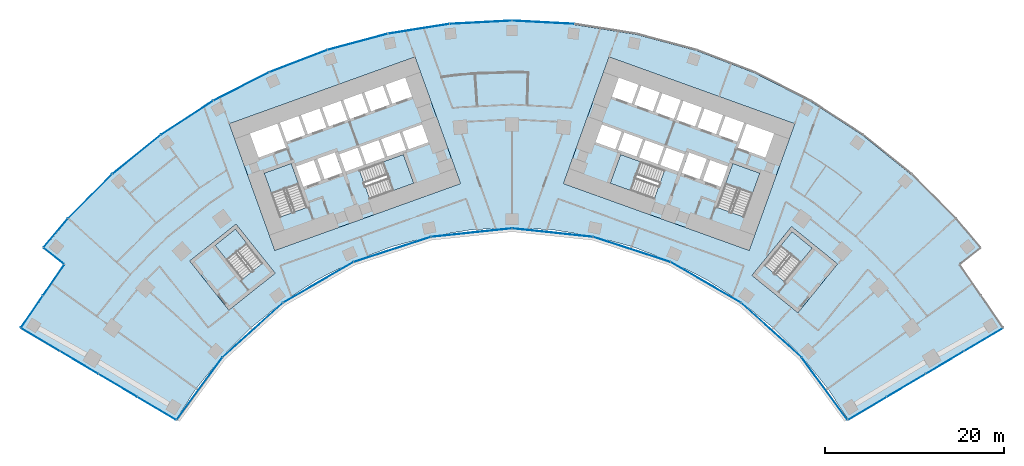
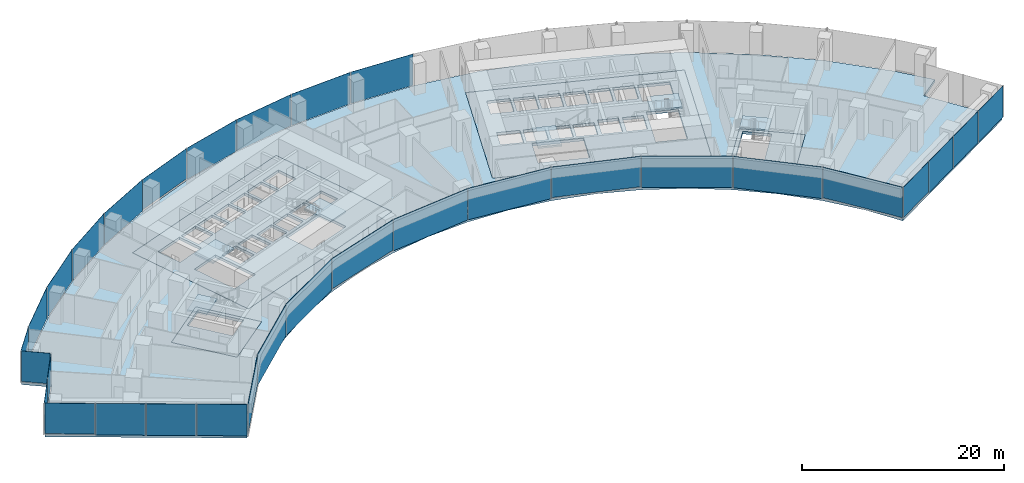
# One storey, part 12 of 21: 31 plates, 11 slabs, 12 elements without a shape of their own.
"""IFC4 building model written with IfcOpenShell, lengths in metres."""

from ifc_helpers import new_model, si_unit, direction, frame, origin, origin_2d, place, context, subcontext, project, spatial, polyline, rectangle, outline, extrude, material, layer, layer_set, type_object, element, aggregate, save


model = new_model("IFC4")

# Units and contexts
model_context = context("Model", 3, precision=1e-05, world=origin(), true_north=direction((0.0, 1.0)))
body_context = subcontext(model_context, "Body", "Model", "MODEL_VIEW")
ifc_project = project(units=[si_unit("LENGTHUNIT", "METRE"), si_unit("AREAUNIT", "SQUARE_METRE"), si_unit("VOLUMEUNIT", "CUBIC_METRE"), si_unit("PLANEANGLEUNIT", "RADIAN"), si_unit("MASSUNIT", "GRAM", prefix="KILO")], contexts=[model_context])

# Site, building, storey
site_placement = place(None, origin())
site = spatial("IfcSite", under=ifc_project, at=site_placement, CompositionType="ELEMENT")
building_placement = place(site_placement, origin())
building = spatial("IfcBuilding", under=site, at=building_placement, Name="Stone Belt Terrace Tower", CompositionType="ELEMENT")
storey_placement = place(building_placement, frame((0.0, 0.0, 33.800048828125)))
storey = spatial("IfcBuildingStorey", under=building, at=storey_placement, Name="L07", CompositionType="ELEMENT", Elevation=33.800048828125)

# Curtain wall, plates
ifc_material_1 = material(Name="Aluminium 6063-T6 anodised frame", Category="aluminium")
ifc_layer_1 = layer(ifc_material_1, 0.14990234375)
ifc_layer_set_1 = layer_set([ifc_layer_1], Name="CW-A unitised convex-face curtain wall")
curtain_wall_type_1 = type_object("IfcCurtainWallType", Name="CW-A unitised convex-face curtain wall", PredefinedType="NOTDEFINED", material=ifc_layer_set_1)
curtain_wall_1_placement = place(storey_placement, origin())
curtain_wall_1 = element("IfcCurtainWall", 1, at=curtain_wall_1_placement, inside=storey, type_object=curtain_wall_type_1, Name="CW-A convex face L07", PredefinedType="NOTDEFINED")
ifc_material_2 = material(Name="Clear double glazed unit")
ifc_layer_2 = layer(ifc_material_2, 0.031982421875)
ifc_layer_set_2 = layer_set([ifc_layer_2], Name="CW-A glass panel 32")
plate_type_1 = type_object("IfcPlateType", Name="CW-A glass panel 32", PredefinedType="CURTAIN_PANEL", material=ifc_layer_set_2)
plate_1_placement = place(storey_placement, frame((3.4794921875, 66.392822265625, 0.0), z_axis=(0.0, 0.0, 1.0), x_axis=(-0.998629534755, 0.052335956243, 0.0)))
plate_1 = element("IfcPlate", 2, at=plate_1_placement, type_object=plate_type_1, Name="CW-A panel 9.1", PredefinedType="CURTAIN_PANEL", context=body_context, shape_type="SweptSolid", body=[
    extrude(rectangle(XDim=6.90087890625, YDim=0.031982421875, at=origin_2d()), origin(), (0.0, 0.0, 1.0), 3.800048828125),
])
plate_2_placement = place(storey_placement, frame((-3.4794921875, 66.392822265625, 0.0), z_axis=(0.0, 0.0, 1.0), x_axis=(-0.998629534755, -0.052335956243, 0.0)))
plate_2 = element("IfcPlate", 3, at=plate_2_placement, type_object=plate_type_1, Name="CW-A panel 10.1", PredefinedType="CURTAIN_PANEL", context=body_context, shape_type="SweptSolid", body=[
    extrude(rectangle(XDim=6.90087890625, YDim=0.031982421875, at=origin_2d()), origin(), (0.0, 0.0, 1.0), 3.800048828125),
])
plate_3_placement = place(storey_placement, frame((-10.400390625, 65.665283203125, 0.0), z_axis=(0.0, 0.0, 1.0), x_axis=(-0.987688340595, -0.15643446504, 0.0)))
plate_3 = element("IfcPlate", 4, at=plate_3_placement, type_object=plate_type_1, Name="CW-A panel 11.1", PredefinedType="CURTAIN_PANEL", context=body_context, shape_type="SweptSolid", body=[
    extrude(rectangle(XDim=6.90087890625, YDim=0.031982421875, at=origin_2d()), origin(), (0.0, 0.0, 1.0), 3.800048828125),
])
plate_4_placement = place(storey_placement, frame((-17.207275390625, 64.218505859375, 0.0), z_axis=(0.0, 0.0, 1.0), x_axis=(-0.965925826289, -0.258819045103, 0.0)))
plate_4 = element("IfcPlate", 5, at=plate_4_placement, type_object=plate_type_1, Name="CW-A panel 12.1", PredefinedType="CURTAIN_PANEL", context=body_context, shape_type="SweptSolid", body=[
    extrude(rectangle(XDim=6.90087890625, YDim=0.031982421875, at=origin_2d()), origin(), (0.0, 0.0, 1.0), 3.800048828125),
])
plate_5_placement = place(storey_placement, frame((-23.82568359375, 62.068115234375, 0.14013671875), z_axis=(0.0, 0.0, 1.0), x_axis=(-0.933580426497, -0.358367949545, 0.0)))
plate_5 = element("IfcPlate", 6, at=plate_5_placement, type_object=plate_type_1, Name="CW-A panel 13.1", PredefinedType="CURTAIN_PANEL", context=body_context, shape_type="SweptSolid", body=[
    extrude(rectangle(XDim=6.90087890625, YDim=0.031982421875, at=origin_2d()), origin(), (0.0, 0.0, 1.0), 3.659912109375),
])
plate_6_placement = place(storey_placement, frame((-30.18310546875, 59.237548828125, 0.0), z_axis=(0.0, 0.0, 1.0), x_axis=(-0.891006524188, -0.45399049974, 0.0)))
plate_6 = element("IfcPlate", 7, at=plate_6_placement, type_object=plate_type_1, Name="CW-A panel 14.1", PredefinedType="CURTAIN_PANEL", context=body_context, shape_type="SweptSolid", body=[
    extrude(rectangle(XDim=6.90087890625, YDim=0.031982421875, at=origin_2d()), origin(), (0.0, 0.0, 1.0), 3.800048828125),
])
plate_7_placement = place(storey_placement, frame((-36.209716796875, 55.758056640625, 0.0), z_axis=(0.0, 0.0, 1.0), x_axis=(-0.838670567945, -0.544639035015, 0.0)))
plate_7 = element("IfcPlate", 8, at=plate_7_placement, type_object=plate_type_1, Name="CW-A panel 15.1", PredefinedType="CURTAIN_PANEL", context=body_context, shape_type="SweptSolid", body=[
    extrude(rectangle(XDim=6.90087890625, YDim=0.031982421875, at=origin_2d()), origin(), (0.0, 0.0, 1.0), 3.800048828125),
])
plate_8_placement = place(storey_placement, frame((-41.839599609375, 51.667724609375, 0.0), z_axis=(0.0, 0.0, 1.0), x_axis=(-0.777145961457, -0.62932039105, 0.0)))
plate_8 = element("IfcPlate", 9, at=plate_8_placement, type_object=plate_type_1, Name="CW-A panel 16.1", PredefinedType="CURTAIN_PANEL", context=body_context, shape_type="SweptSolid", body=[
    extrude(rectangle(XDim=6.90087890625, YDim=0.031982421875, at=origin_2d()), origin(), (0.0, 0.0, 1.0), 3.800048828125),
])
plate_9_placement = place(storey_placement, frame((-47.01123046875, 47.01123046875, 0.0), z_axis=(0.0, 0.0, 1.0), x_axis=(-0.707106781187, -0.707106781187, 0.0)))
plate_9 = element("IfcPlate", 10, at=plate_9_placement, type_object=plate_type_1, Name="CW-A panel 17.1", PredefinedType="CURTAIN_PANEL", context=body_context, shape_type="SweptSolid", body=[
    extrude(rectangle(XDim=6.90087890625, YDim=0.031982421875, at=origin_2d()), origin(), (0.0, 0.0, 1.0), 3.800048828125),
])
plate_10_placement = place(storey_placement, frame((-50.84423828125, 42.92626953125, 0.0), z_axis=(0.0, 0.0, 1.0), x_axis=(-0.645291395384, -0.763936525533, 0.0)))
plate_10 = element("IfcPlate", 11, at=plate_10_placement, type_object=plate_type_1, Name="CW-A panel 18.1", PredefinedType="CURTAIN_PANEL", context=body_context, shape_type="SweptSolid", body=[
    extrude(rectangle(XDim=4.17919921875, YDim=0.031982421875, at=origin_2d()), origin(), (0.0, 0.0, 1.0), 3.800048828125),
])
aggregate(curtain_wall_1, [plate_1, plate_2, plate_3, plate_4, plate_5, plate_6, plate_7, plate_8, plate_9, plate_10])

ifc_layer_3 = layer(ifc_material_1, 0.14990234375)
ifc_layer_set_3 = layer_set([ifc_layer_3], Name="CW-B unitised concave-face curtain wall")
curtain_wall_type_2 = type_object("IfcCurtainWallType", Name="CW-B unitised concave-face curtain wall", PredefinedType="NOTDEFINED", material=ifc_layer_set_3)
curtain_wall_2_placement = place(storey_placement, origin())
curtain_wall_2 = element("IfcCurtainWall", 12, at=curtain_wall_2_placement, inside=storey, type_object=curtain_wall_type_2, Name="CW-B concave face L07", PredefinedType="NOTDEFINED")
ifc_layer_4 = layer(ifc_material_2, 0.030029296875)
ifc_layer_set_4 = layer_set([ifc_layer_4], Name="CW-B glass panel 30")
plate_type_2 = type_object("IfcPlateType", Name="CW-B glass panel 30", PredefinedType="CURTAIN_PANEL", material=ifc_layer_set_4)
plate_11_placement = place(storey_placement, frame((-34.831787109375, 25.57177734375, 0.1201171875), z_axis=(0.0, 0.0, 1.0), x_axis=(0.592159017675, 0.805821132626, 0.0)))
plate_11 = element("IfcPlate", 13, at=plate_11_placement, type_object=plate_type_2, Name="CW-B panel 1.1", PredefinedType="CURTAIN_PANEL", context=body_context, shape_type="SweptSolid", body=[
    extrude(rectangle(XDim=8.583984375, YDim=0.030029296875, at=origin_2d()), origin(), (0.0, 0.0, 1.0), 3.679931640625),
])
plate_12_placement = place(storey_placement, frame((-28.897705078125, 32.09375, 0.0), z_axis=(0.0, 0.0, 1.0), x_axis=(0.743144825477, 0.669130606359, 0.0)))
plate_12 = element("IfcPlate", 14, at=plate_12_placement, type_object=plate_type_2, Name="CW-B panel 2.1", PredefinedType="CURTAIN_PANEL", context=body_context, shape_type="SweptSolid", body=[
    extrude(rectangle(XDim=9.01318359375, YDim=0.030029296875, at=origin_2d()), origin(), (0.0, 0.0, 1.0), 3.800048828125),
])
plate_13_placement = place(storey_placement, frame((-21.59326171875, 37.40087890625, 0.0), z_axis=(0.0, 0.0, 1.0), x_axis=(0.866025403784, 0.5, 0.0)))
plate_13 = element("IfcPlate", 15, at=plate_13_placement, type_object=plate_type_2, Name="CW-B panel 3.1", PredefinedType="CURTAIN_PANEL", context=body_context, shape_type="SweptSolid", body=[
    extrude(rectangle(XDim=9.0126953125, YDim=0.030029296875, at=origin_2d()), origin(), (0.0, 0.0, 1.0), 3.800048828125),
])
plate_14_placement = place(storey_placement, frame((-13.345458984375, 41.072998046875, 0.1201171875), z_axis=(0.0, 0.0, 1.0), x_axis=(0.951056516295, 0.309016994375, 0.0)))
plate_14 = element("IfcPlate", 16, at=plate_14_placement, type_object=plate_type_2, Name="CW-B panel 4.1", PredefinedType="CURTAIN_PANEL", context=body_context, shape_type="SweptSolid", body=[
    extrude(rectangle(XDim=9.0126953125, YDim=0.030029296875, at=origin_2d()), origin(), (0.0, 0.0, 1.0), 3.679931640625),
])
plate_15_placement = place(storey_placement, frame((-4.51416015625, 42.9501953125, 0.0), z_axis=(0.0, 0.0, 1.0), x_axis=(0.994521895368, 0.104528463268, 0.0)))
plate_15 = element("IfcPlate", 17, at=plate_15_placement, type_object=plate_type_2, Name="CW-B panel 5.1", PredefinedType="CURTAIN_PANEL", context=body_context, shape_type="SweptSolid", body=[
    extrude(rectangle(XDim=9.0126953125, YDim=0.030029296875, at=origin_2d()), origin(), (0.0, 0.0, 1.0), 3.800048828125),
])
plate_16_placement = place(storey_placement, frame((4.51416015625, 42.9501953125, 0.0), z_axis=(0.0, 0.0, 1.0), x_axis=(0.994521895368, -0.104528463268, 0.0)))
plate_16 = element("IfcPlate", 18, at=plate_16_placement, type_object=plate_type_2, Name="CW-B panel 6.1", PredefinedType="CURTAIN_PANEL", context=body_context, shape_type="SweptSolid", body=[
    extrude(rectangle(XDim=9.0126953125, YDim=0.030029296875, at=origin_2d()), origin(), (0.0, 0.0, 1.0), 3.800048828125),
])
plate_17_placement = place(storey_placement, frame((13.345458984375, 41.072998046875, 0.1201171875), z_axis=(0.0, 0.0, 1.0), x_axis=(0.951056516295, -0.309016994375, 0.0)))
plate_17 = element("IfcPlate", 19, at=plate_17_placement, type_object=plate_type_2, Name="CW-B panel 7.1", PredefinedType="CURTAIN_PANEL", context=body_context, shape_type="SweptSolid", body=[
    extrude(rectangle(XDim=9.0126953125, YDim=0.030029296875, at=origin_2d()), origin(), (0.0, 0.0, 1.0), 3.679931640625),
])
plate_18_placement = place(storey_placement, frame((21.59326171875, 37.40087890625, 0.0), z_axis=(0.0, 0.0, 1.0), x_axis=(0.866025403784, -0.5, 0.0)))
plate_18 = element("IfcPlate", 20, at=plate_18_placement, type_object=plate_type_2, Name="CW-B panel 8.1", PredefinedType="CURTAIN_PANEL", context=body_context, shape_type="SweptSolid", body=[
    extrude(rectangle(XDim=9.0126953125, YDim=0.030029296875, at=origin_2d()), origin(), (0.0, 0.0, 1.0), 3.800048828125),
])
plate_19_placement = place(storey_placement, frame((28.897705078125, 32.09375, 0.0), z_axis=(0.0, 0.0, 1.0), x_axis=(0.743144825477, -0.669130606359, 0.0)))
plate_19 = element("IfcPlate", 21, at=plate_19_placement, type_object=plate_type_2, Name="CW-B panel 9.1", PredefinedType="CURTAIN_PANEL", context=body_context, shape_type="SweptSolid", body=[
    extrude(rectangle(XDim=9.01318359375, YDim=0.030029296875, at=origin_2d()), origin(), (0.0, 0.0, 1.0), 3.800048828125),
])
plate_20_placement = place(storey_placement, frame((34.831787109375, 25.57177734375, 0.1201171875), z_axis=(0.0, 0.0, 1.0), x_axis=(0.592159017675, -0.805821132626, 0.0)))
plate_20 = element("IfcPlate", 22, at=plate_20_placement, type_object=plate_type_2, Name="CW-B panel 10.1", PredefinedType="CURTAIN_PANEL", context=body_context, shape_type="SweptSolid", body=[
    extrude(rectangle(XDim=8.583984375, YDim=0.030029296875, at=origin_2d()), origin(), (0.0, 0.0, 1.0), 3.679931640625),
])
aggregate(curtain_wall_2, [plate_11, plate_12, plate_13, plate_14, plate_15, plate_16, plate_17, plate_18, plate_19, plate_20])

ifc_layer_5 = layer(ifc_material_1, 0.14990234375)
ifc_layer_set_5 = layer_set([ifc_layer_5], Name="CW-C stick curtain wall, horn ends and notches")
curtain_wall_type_3 = type_object("IfcCurtainWallType", Name="CW-C stick curtain wall, horn ends and notches", PredefinedType="NOTDEFINED", material=ifc_layer_set_5)
curtain_wall_3_placement = place(storey_placement, origin())
curtain_wall_3 = element("IfcCurtainWall", 23, at=curtain_wall_3_placement, inside=storey, type_object=curtain_wall_type_3, Name="CW-C end face L07", PredefinedType="NOTDEFINED")
ifc_layer_6 = layer(ifc_material_2, 0.028076171875)
ifc_layer_set_6 = layer_set([ifc_layer_6], Name="CW-C glass panel 28")
plate_type_3 = type_object("IfcPlateType", Name="CW-C glass panel 28", PredefinedType="CURTAIN_PANEL", material=ifc_layer_set_6)
plate_21_placement = place(storey_placement, frame((39.613037109375, 23.359130859375, 0.1201171875), z_axis=(0.0, 0.0, 1.0), x_axis=(0.860557728521, 0.509352918793, 0.0)))
plate_21 = element("IfcPlate", 24, at=plate_21_placement, type_object=plate_type_3, Name="CW-C panel 1.1", PredefinedType="CURTAIN_PANEL", context=body_context, shape_type="SweptSolid", body=[
    extrude(rectangle(XDim=4.96533203125, YDim=0.028076171875, at=origin_2d()), origin(), (0.0, 0.0, 1.0), 3.679931640625),
])
plate_22_placement = place(storey_placement, frame((43.9267578125, 25.912353515625, 0.0), z_axis=(0.0, 0.0, 1.0), x_axis=(0.860557728521, 0.509352918793, 0.0)))
plate_22 = element("IfcPlate", 25, at=plate_22_placement, type_object=plate_type_3, Name="CW-C panel 2.1", PredefinedType="CURTAIN_PANEL", context=body_context, shape_type="SweptSolid", body=[
    extrude(rectangle(XDim=4.93994140625, YDim=0.028076171875, at=origin_2d()), origin(), (0.0, 0.0, 1.0), 3.800048828125),
])
plate_23_placement = place(storey_placement, frame((48.2294921875, 28.459228515625, 0.0), z_axis=(0.0, 0.0, 1.0), x_axis=(0.860557728521, 0.509352918793, 0.0)))
plate_23 = element("IfcPlate", 26, at=plate_23_placement, type_object=plate_type_3, Name="CW-C panel 3.1", PredefinedType="CURTAIN_PANEL", context=body_context, shape_type="SweptSolid", body=[
    extrude(rectangle(XDim=4.93994140625, YDim=0.028076171875, at=origin_2d()), origin(), (0.0, 0.0, 1.0), 3.800048828125),
])
plate_24_placement = place(storey_placement, frame((52.54736328125, 31.014892578125, 0.0), z_axis=(0.0, 0.0, 1.0), x_axis=(0.860557728521, 0.509352918793, 0.0)))
plate_24 = element("IfcPlate", 27, at=plate_24_placement, type_object=plate_type_3, Name="CW-C panel 4.1", PredefinedType="CURTAIN_PANEL", context=body_context, shape_type="SweptSolid", body=[
    extrude(rectangle(XDim=4.974853515625, YDim=0.028076171875, at=origin_2d()), origin(), (0.0, 0.0, 1.0), 3.800048828125),
])
aggregate(curtain_wall_3, [plate_21, plate_22, plate_23, plate_24])

# Curtain wall, plate
curtain_wall_4_placement = place(storey_placement, origin())
curtain_wall_4 = element("IfcCurtainWall", 28, at=curtain_wall_4_placement, inside=storey, type_object=curtain_wall_type_3, Name="CW-C notch face L07", PredefinedType="NOTDEFINED")
plate_25_placement = place(storey_placement, frame((-51.061279296875, 40.3388671875, 0.1201171875), z_axis=(0.0, 0.0, 1.0), x_axis=(0.783963828584, -0.620806504051, 0.0)))
plate_25 = element("IfcPlate", 29, at=plate_25_placement, type_object=plate_type_3, Name="CW-C panel 1.1", PredefinedType="CURTAIN_PANEL", context=body_context, shape_type="SweptSolid", body=[
    extrude(rectangle(XDim=2.859375, YDim=0.028076171875, at=origin_2d()), origin(), (0.0, 0.0, 1.0), 3.679931640625),
])
aggregate(curtain_wall_4, [plate_25])

# Curtain wall, plates
curtain_wall_5_placement = place(storey_placement, origin())
curtain_wall_5 = element("IfcCurtainWall", 30, at=curtain_wall_5_placement, inside=storey, type_object=curtain_wall_type_3, Name="CW-C notch face L07", PredefinedType="NOTDEFINED")
plate_26_placement = place(storey_placement, frame((-51.091552734375, 37.647705078125, 0.1201171875), z_axis=(0.0, 0.0, 1.0), x_axis=(-0.566375967567, -0.824146991357, 0.0)))
plate_26 = element("IfcPlate", 31, at=plate_26_placement, type_object=plate_type_3, Name="CW-C panel 1.1", PredefinedType="CURTAIN_PANEL", context=body_context, shape_type="SweptSolid", body=[
    extrude(rectangle(XDim=4.12060546875, YDim=0.028076171875, at=origin_2d()), origin(), (0.0, 0.0, 1.0), 3.679931640625),
])
plate_27_placement = place(storey_placement, frame((-53.501220703125, 34.141357421875, 0.0), z_axis=(0.0, 0.0, 1.0), x_axis=(-0.566375967567, -0.824146991357, 0.0)))
plate_27 = element("IfcPlate", 32, at=plate_27_placement, type_object=plate_type_3, Name="CW-C panel 2.1", PredefinedType="CURTAIN_PANEL", context=body_context, shape_type="SweptSolid", body=[
    extrude(rectangle(XDim=4.268798828125, YDim=0.028076171875, at=origin_2d()), origin(), (0.0, 0.0, 1.0), 3.800048828125),
])
aggregate(curtain_wall_5, [plate_26, plate_27])

curtain_wall_6_placement = place(storey_placement, origin())
curtain_wall_6 = element("IfcCurtainWall", 33, at=curtain_wall_6_placement, inside=storey, type_object=curtain_wall_type_3, Name="CW-C end face L07", PredefinedType="NOTDEFINED")
plate_28_placement = place(storey_placement, frame((-52.54736328125, 31.014892578125, 0.1201171875), z_axis=(0.0, 0.0, 1.0), x_axis=(0.860557728521, -0.509352918793, 0.0)))
plate_28 = element("IfcPlate", 34, at=plate_28_placement, type_object=plate_type_3, Name="CW-C panel 1.1", PredefinedType="CURTAIN_PANEL", context=body_context, shape_type="SweptSolid", body=[
    extrude(rectangle(XDim=4.974853515625, YDim=0.028076171875, at=origin_2d()), origin(), (0.0, 0.0, 1.0), 3.679931640625),
])
plate_29_placement = place(storey_placement, frame((-48.2294921875, 28.459228515625, 0.0), z_axis=(0.0, 0.0, 1.0), x_axis=(0.860557728521, -0.509352918793, 0.0)))
plate_29 = element("IfcPlate", 35, at=plate_29_placement, type_object=plate_type_3, Name="CW-C panel 2.1", PredefinedType="CURTAIN_PANEL", context=body_context, shape_type="SweptSolid", body=[
    extrude(rectangle(XDim=4.93994140625, YDim=0.028076171875, at=origin_2d()), origin(), (0.0, 0.0, 1.0), 3.800048828125),
])
plate_30_placement = place(storey_placement, frame((-43.9267578125, 25.912353515625, 0.0), z_axis=(0.0, 0.0, 1.0), x_axis=(0.860557728521, -0.509352918793, 0.0)))
plate_30 = element("IfcPlate", 36, at=plate_30_placement, type_object=plate_type_3, Name="CW-C panel 3.1", PredefinedType="CURTAIN_PANEL", context=body_context, shape_type="SweptSolid", body=[
    extrude(rectangle(XDim=4.93994140625, YDim=0.028076171875, at=origin_2d()), origin(), (0.0, 0.0, 1.0), 3.800048828125),
])
plate_31_placement = place(storey_placement, frame((-39.613037109375, 23.359130859375, 0.0), z_axis=(0.0, 0.0, 1.0), x_axis=(0.860557728521, -0.509352918793, 0.0)))
plate_31 = element("IfcPlate", 37, at=plate_31_placement, type_object=plate_type_3, Name="CW-C panel 4.1", PredefinedType="CURTAIN_PANEL", context=body_context, shape_type="SweptSolid", body=[
    extrude(rectangle(XDim=4.96533203125, YDim=0.028076171875, at=origin_2d()), origin(), (0.0, 0.0, 1.0), 3.800048828125),
])
aggregate(curtain_wall_6, [plate_28, plate_29, plate_30, plate_31])

# Slabs
ifc_material_3 = material(Name="Concrete B40", Category="concrete")
ifc_layer_7 = layer(ifc_material_3, 0.320068359375)
ifc_layer_set_7 = layer_set([ifc_layer_7], Name="Core floor slab 320")
slab_type_1 = type_object("IfcSlabType", Name="Core floor slab 320", PredefinedType="FLOOR", material=ifc_layer_set_7)
slab_1_placement = place(storey_placement, frame((0.0, 0.0, -0.320068359375)))
element("IfcSlab", 38, at=slab_1_placement, inside=storey, type_object=slab_type_1, Name="Core A floor L07", PredefinedType="FLOOR", context=body_context, shape_type="SweptSolid", body=[
    extrude(outline(polyline([(-26.43505859375, 40.968994140625), (-5.735107421875, 48.4189453125), (-10.81396484375, 62.531982421875), (-31.513916015625, 55.0830078125), (-26.43505859375, 40.968994140625)]), holes=[polyline([(-24.60791015625, 50.659912109375), (-22.847900390625, 45.76806640625), (-25.85888671875, 44.68408203125), (-27.618896484375, 49.575927734375), (-24.60791015625, 50.659912109375)]), polyline([(-21.27392578125, 48.778076171875), (-23.25, 48.06689453125), (-24.06298828125, 50.324951171875), (-22.0869140625, 51.035888671875), (-21.27392578125, 48.778076171875)]), polyline([(-18.922119140625, 49.6240234375), (-20.89794921875, 48.9130859375), (-21.7109375, 51.1708984375), (-19.735107421875, 51.883056640625), (-18.922119140625, 49.6240234375)]), polyline([(-19.239990234375, 51.68896484375), (-17.217041015625, 52.4169921875), (-16.52294921875, 50.488037109375), (-18.5458984375, 49.760009765625), (-19.239990234375, 51.68896484375)]), polyline([(-29.2109375, 53.9990234375), (-26.153076171875, 55.09912109375), (-25.18798828125, 52.41796875), (-28.24609375, 51.31689453125), (-29.2109375, 53.9990234375)]), polyline([(-23.801025390625, 55.946044921875), (-23.0390625, 53.8291015625), (-25.10888671875, 53.083984375), (-25.87109375, 55.200927734375), (-23.801025390625, 55.946044921875)]), polyline([(-21.447998046875, 56.7919921875), (-20.68603515625, 54.675048828125), (-22.756103515625, 53.929931640625), (-23.51806640625, 56.047119140625), (-21.447998046875, 56.7919921875)]), polyline([(-19.095947265625, 57.638916015625), (-18.333984375, 55.52197265625), (-20.404052734375, 54.777099609375), (-21.166015625, 56.89404296875), (-19.095947265625, 57.638916015625)]), polyline([(-15.846923828125, 46.69189453125), (-16.998046875, 49.89208984375), (-12.10595703125, 51.652099609375), (-10.955078125, 48.452880859375), (-15.846923828125, 46.69189453125)]), polyline([(-16.239990234375, 50.589111328125), (-16.93408203125, 52.51806640625), (-14.864013671875, 53.262939453125), (-14.169921875, 51.333984375), (-16.239990234375, 50.589111328125)]), polyline([(-11.801025390625, 52.134033203125), (-11.847900390625, 52.116943359375), (-11.864990234375, 52.1640625), (-13.887939453125, 51.43603515625), (-14.58203125, 53.364990234375), (-12.511962890625, 54.110107421875), (-11.801025390625, 52.134033203125)]), polyline([(-9.30810546875, 53.031005859375), (-11.51904296875, 52.235107421875), (-12.22998046875, 54.2109375), (-10.01904296875, 55.007080078125), (-9.30810546875, 53.031005859375)]), polyline([(-16.743896484375, 58.485107421875), (-15.98193359375, 56.367919921875), (-18.052001953125, 55.623046875), (-18.81396484375, 57.739990234375), (-16.743896484375, 58.485107421875)]), polyline([(-14.39111328125, 59.33203125), (-13.6298828125, 57.215087890625), (-15.699951171875, 56.469970703125), (-16.4609375, 58.5869140625), (-14.39111328125, 59.33203125)]), polyline([(-11.89794921875, 60.22900390625), (-11.135986328125, 58.112060546875), (-13.346923828125, 57.31591796875), (-14.10888671875, 59.43408203125), (-11.89794921875, 60.22900390625)])]), origin(), (0.0, 0.0, 1.0), 0.320068359375),
])
slab_2_placement = place(storey_placement, frame((0.0, 0.0, -0.320068359375)))
element("IfcSlab", 39, at=slab_2_placement, inside=storey, type_object=slab_type_1, Name="Core B floor L07", PredefinedType="FLOOR", context=body_context, shape_type="SweptSolid", body=[
    extrude(outline(polyline([(26.43505859375, 40.968994140625), (31.513916015625, 55.0830078125), (10.81396484375, 62.531982421875), (5.735107421875, 48.4189453125), (26.43505859375, 40.968994140625)]), holes=[polyline([(12.10595703125, 51.652099609375), (16.998046875, 49.89208984375), (15.846923828125, 46.69189453125), (10.955078125, 48.452880859375), (12.10595703125, 51.652099609375)]), polyline([(19.239990234375, 51.68896484375), (18.5458984375, 49.760009765625), (16.52294921875, 50.488037109375), (17.217041015625, 52.4169921875), (19.239990234375, 51.68896484375)]), polyline([(16.239990234375, 50.589111328125), (14.169921875, 51.333984375), (14.864013671875, 53.262939453125), (16.93408203125, 52.51806640625), (16.239990234375, 50.589111328125)]), polyline([(14.58203125, 53.364990234375), (13.887939453125, 51.43603515625), (11.864990234375, 52.1640625), (11.847900390625, 52.116943359375), (11.801025390625, 52.134033203125), (12.511962890625, 54.110107421875), (14.58203125, 53.364990234375)]), polyline([(9.30810546875, 53.031005859375), (10.01904296875, 55.007080078125), (12.22998046875, 54.2109375), (11.51904296875, 52.235107421875), (9.30810546875, 53.031005859375)]), polyline([(16.743896484375, 58.485107421875), (18.81396484375, 57.739990234375), (18.052001953125, 55.623046875), (15.98193359375, 56.367919921875), (16.743896484375, 58.485107421875)]), polyline([(14.39111328125, 59.33203125), (16.4609375, 58.5869140625), (15.699951171875, 56.469970703125), (13.6298828125, 57.215087890625), (14.39111328125, 59.33203125)]), polyline([(11.89794921875, 60.22900390625), (14.10888671875, 59.43408203125), (13.346923828125, 57.31591796875), (11.135986328125, 58.112060546875), (11.89794921875, 60.22900390625)]), polyline([(25.85888671875, 44.68408203125), (22.847900390625, 45.76806640625), (24.60791015625, 50.659912109375), (27.618896484375, 49.575927734375), (25.85888671875, 44.68408203125)]), polyline([(21.27392578125, 48.778076171875), (22.0869140625, 51.035888671875), (24.06298828125, 50.324951171875), (23.25, 48.06689453125), (21.27392578125, 48.778076171875)]), polyline([(18.922119140625, 49.6240234375), (19.735107421875, 51.883056640625), (21.7109375, 51.1708984375), (20.89794921875, 48.9130859375), (18.922119140625, 49.6240234375)]), polyline([(29.2109375, 53.9990234375), (28.24609375, 51.31689453125), (25.18798828125, 52.41796875), (26.153076171875, 55.09912109375), (29.2109375, 53.9990234375)]), polyline([(23.801025390625, 55.946044921875), (25.87109375, 55.200927734375), (25.10888671875, 53.083984375), (23.0390625, 53.8291015625), (23.801025390625, 55.946044921875)]), polyline([(21.447998046875, 56.7919921875), (23.51806640625, 56.047119140625), (22.756103515625, 53.929931640625), (20.68603515625, 54.675048828125), (21.447998046875, 56.7919921875)]), polyline([(19.095947265625, 57.638916015625), (21.166015625, 56.89404296875), (20.404052734375, 54.777099609375), (18.333984375, 55.52197265625), (19.095947265625, 57.638916015625)])]), origin(), (0.0, 0.0, 1.0), 0.320068359375),
])
slab_3_placement = place(storey_placement, frame((0.0, 0.0, -0.320068359375)))
element("IfcSlab", 40, at=slab_3_placement, inside=storey, type_object=slab_type_1, Name="Exit stair ST3A floor L07", PredefinedType="FLOOR", context=body_context, shape_type="SweptSolid", body=[
    extrude(outline(polyline([(-26.39404296875, 38.425048828125), (-30.756103515625, 43.89990234375), (-35.91796875, 39.787109375), (-31.555908203125, 34.31298828125), (-26.39404296875, 38.425048828125)]), holes=[polyline([(-27.798095703125, 39.544921875), (-30.06591796875, 37.738037109375), (-33.087890625, 41.531005859375), (-30.820068359375, 43.337890625), (-27.798095703125, 39.544921875)])]), origin(), (0.0, 0.0, 1.0), 0.320068359375),
])
slab_4_placement = place(storey_placement, frame((0.0, 0.0, -0.320068359375)))
element("IfcSlab", 41, at=slab_4_placement, inside=storey, type_object=slab_type_1, Name="Exit stair ST3B floor L07", PredefinedType="FLOOR", context=body_context, shape_type="SweptSolid", body=[
    extrude(outline(polyline([(26.741943359375, 38.18408203125), (31.866943359375, 34.02392578125), (36.278076171875, 39.458984375), (31.154052734375, 43.618896484375), (26.741943359375, 38.18408203125)]), holes=[polyline([(30.407958984375, 37.462890625), (28.156005859375, 39.291015625), (31.2119140625, 43.055908203125), (33.464111328125, 41.22802734375), (30.407958984375, 37.462890625)])]), origin(), (0.0, 0.0, 1.0), 0.320068359375),
])
ifc_layer_8 = layer(ifc_material_3, 0.320068359375)
ifc_layer_set_8 = layer_set([ifc_layer_8], Name="Floor slab 320 B40")
slab_type_2 = type_object("IfcSlabType", Name="Floor slab 320 B40", PredefinedType="FLOOR", material=ifc_layer_set_8)
slab_5_placement = place(storey_placement, frame((0.0, 0.0, -0.320068359375)))
element("IfcSlab", 42, at=slab_5_placement, inside=storey, type_object=slab_type_2, Name="Floor slab L07", PredefinedType="FLOOR", context=body_context, shape_type="SweptSolid", body=[
    extrude(outline(polyline([(-49.419189453125, 44.497314453125), (-44.497314453125, 49.419189453125), (-39.087646484375, 53.799560546875), (-33.25, 57.5908203125), (-27.048095703125, 60.750732421875), (-20.549560546875, 63.245361328125), (-13.826171875, 65.046875), (-6.951171875, 66.1357421875), (0.0, 66.5), (6.951171875, 66.1357421875), (13.826171875, 65.046875), (20.549560546875, 63.245361328125), (27.048095703125, 60.750732421875), (33.25, 57.5908203125), (39.087646484375, 53.799560546875), (44.497314453125, 49.419189453125), (49.419189453125, 44.497314453125), (52.133544921875, 41.28369140625), (49.78173828125, 39.421142578125), (54.6455078125, 32.343994140625), (37.434326171875, 22.156982421875), (35.192138671875, 25.568603515625), (32.326904296875, 29.107177734375), (29.107177734375, 32.326904296875), (25.568603515625, 35.192138671875), (21.75, 37.672119140625), (17.693115234375, 39.7392578125), (13.442138671875, 41.37109375), (9.044189453125, 42.54931640625), (4.547119140625, 43.26171875), (0.0, 43.5), (-4.547119140625, 43.26171875), (-9.044189453125, 42.54931640625), (-13.442138671875, 41.37109375), (-17.693115234375, 39.7392578125), (-21.75, 37.672119140625), (-25.568603515625, 35.192138671875), (-29.107177734375, 32.326904296875), (-32.326904296875, 29.107177734375), (-35.192138671875, 25.568603515625), (-37.434326171875, 22.156982421875), (-54.6455078125, 32.343994140625), (-49.78173828125, 39.421142578125), (-52.133544921875, 41.28369140625), (-49.419189453125, 44.497314453125)]), holes=[polyline([(-26.434814453125, 40.968994140625), (-5.734619140625, 48.418701171875), (-10.81396484375, 62.532470703125), (-31.51416015625, 55.082763671875), (-26.434814453125, 40.968994140625)]), polyline([(10.81396484375, 62.532470703125), (5.734619140625, 48.418701171875), (26.434814453125, 40.968994140625), (31.51416015625, 55.082763671875), (10.81396484375, 62.532470703125)]), polyline([(-35.91796875, 39.787353515625), (-31.55615234375, 34.3125), (-26.39404296875, 38.425048828125), (-30.756103515625, 43.89990234375), (-35.91796875, 39.787353515625)]), polyline([(36.2783203125, 39.459228515625), (31.15380859375, 43.61865234375), (26.742431640625, 38.18359375), (31.86669921875, 34.024169921875), (36.2783203125, 39.459228515625)])]), origin(), (0.0, 0.0, 1.0), 0.320068359375),
])

# Stair, slab
stair_type = type_object("IfcStairType", Name="Exit stair 1500", PredefinedType="HALF_TURN_STAIR", material=ifc_material_3)
stair_1_placement = place(storey_placement, origin())
stair_1 = element("IfcStair", 43, at=stair_1_placement, inside=storey, type_object=stair_type, Name="L07 Exit stair 1 core A", PredefinedType="HALF_TURN_STAIR")
ifc_layer_9 = layer(ifc_material_3, 0.199951171875)
ifc_layer_set_9 = layer_set([ifc_layer_9], Name="Stair landing 200")
slab_type_3 = type_object("IfcSlabType", Name="Stair landing 200", PredefinedType="LANDING", material=ifc_layer_set_9)
slab_6_placement = place(storey_placement, frame((0.0, 0.0, 1.699951171875)))
slab_6 = element("IfcSlab", 44, at=slab_6_placement, type_object=slab_type_3, Name="ST1A landing 1", PredefinedType="LANDING", context=body_context, shape_type="SweptSolid", body=[
    extrude(outline(polyline([(-23.79541015625, 48.40087890625), (-24.6083984375, 50.659912109375), (-27.619384765625, 49.576171875), (-26.806396484375, 47.3173828125), (-23.79541015625, 48.40087890625)])), origin(), (0.0, 0.0, 1.0), 0.199951171875),
])
aggregate(stair_1, [slab_6])

stair_2_placement = place(storey_placement, origin())
stair_2 = element("IfcStair", 45, at=stair_2_placement, inside=storey, type_object=stair_type, Name="L07 Exit stair 2 core A", PredefinedType="HALF_TURN_STAIR")
slab_7_placement = place(storey_placement, frame((0.0, 0.0, 1.699951171875)))
slab_7 = element("IfcSlab", 46, at=slab_7_placement, type_object=slab_type_3, Name="ST2A landing 1", PredefinedType="LANDING", context=body_context, shape_type="SweptSolid", body=[
    extrude(outline(polyline([(-13.213623046875, 47.64013671875), (-10.95458984375, 48.453125), (-12.10595703125, 51.652099609375), (-14.36474609375, 50.839111328125), (-13.213623046875, 47.64013671875)])), origin(), (0.0, 0.0, 1.0), 0.199951171875),
])
aggregate(stair_2, [slab_7])

stair_3_placement = place(storey_placement, origin())
stair_3 = element("IfcStair", 47, at=stair_3_placement, inside=storey, type_object=stair_type, Name="L07 Exit stair 1 core B", PredefinedType="HALF_TURN_STAIR")
slab_8_placement = place(storey_placement, frame((0.0, 0.0, 1.699951171875)))
slab_8 = element("IfcSlab", 48, at=slab_8_placement, type_object=slab_type_3, Name="ST1B landing 1", PredefinedType="LANDING", context=body_context, shape_type="SweptSolid", body=[
    extrude(outline(polyline([(26.806396484375, 47.3173828125), (27.619384765625, 49.576171875), (24.6083984375, 50.659912109375), (23.79541015625, 48.40087890625), (26.806396484375, 47.3173828125)])), origin(), (0.0, 0.0, 1.0), 0.199951171875),
])
aggregate(stair_3, [slab_8])

stair_4_placement = place(storey_placement, origin())
stair_4 = element("IfcStair", 49, at=stair_4_placement, inside=storey, type_object=stair_type, Name="L07 Exit stair 2 core B", PredefinedType="HALF_TURN_STAIR")
slab_9_placement = place(storey_placement, frame((0.0, 0.0, 1.699951171875)))
slab_9 = element("IfcSlab", 50, at=slab_9_placement, type_object=slab_type_3, Name="ST2B landing 1", PredefinedType="LANDING", context=body_context, shape_type="SweptSolid", body=[
    extrude(outline(polyline([(14.36474609375, 50.839111328125), (12.10595703125, 51.652099609375), (10.95458984375, 48.453125), (13.213623046875, 47.64013671875), (14.36474609375, 50.839111328125)])), origin(), (0.0, 0.0, 1.0), 0.199951171875),
])
aggregate(stair_4, [slab_9])

stair_5_placement = place(storey_placement, origin())
stair_5 = element("IfcStair", 51, at=stair_5_placement, inside=storey, type_object=stair_type, Name="L07 Exit stair 3A", PredefinedType="HALF_TURN_STAIR")
slab_10_placement = place(storey_placement, frame((0.0, 0.0, 1.699951171875)))
slab_10 = element("IfcSlab", 52, at=slab_10_placement, type_object=slab_type_3, Name="ST3A landing 1", PredefinedType="LANDING", context=body_context, shape_type="SweptSolid", body=[
    extrude(outline(polyline([(-29.541748046875, 41.73388671875), (-30.819580078125, 43.337890625), (-33.087646484375, 41.53076171875), (-31.809814453125, 39.9267578125), (-29.541748046875, 41.73388671875)])), origin(), (0.0, 0.0, 1.0), 0.199951171875),
])
aggregate(stair_5, [slab_10])

stair_6_placement = place(storey_placement, origin())
stair_6 = element("IfcStair", 53, at=stair_6_placement, inside=storey, type_object=stair_type, Name="L07 Exit stair 3B", PredefinedType="HALF_TURN_STAIR")
slab_11_placement = place(storey_placement, frame((0.0, 0.0, 1.699951171875)))
slab_11 = element("IfcSlab", 54, at=slab_11_placement, type_object=slab_type_3, Name="ST3B landing 1", PredefinedType="LANDING", context=body_context, shape_type="SweptSolid", body=[
    extrude(outline(polyline([(32.17138671875, 39.635986328125), (33.4638671875, 41.228271484375), (31.21240234375, 43.055908203125), (29.919921875, 41.463623046875), (32.17138671875, 39.635986328125)])), origin(), (0.0, 0.0, 1.0), 0.199951171875),
])
aggregate(stair_6, [slab_11])

save(model, "model.ifc")
